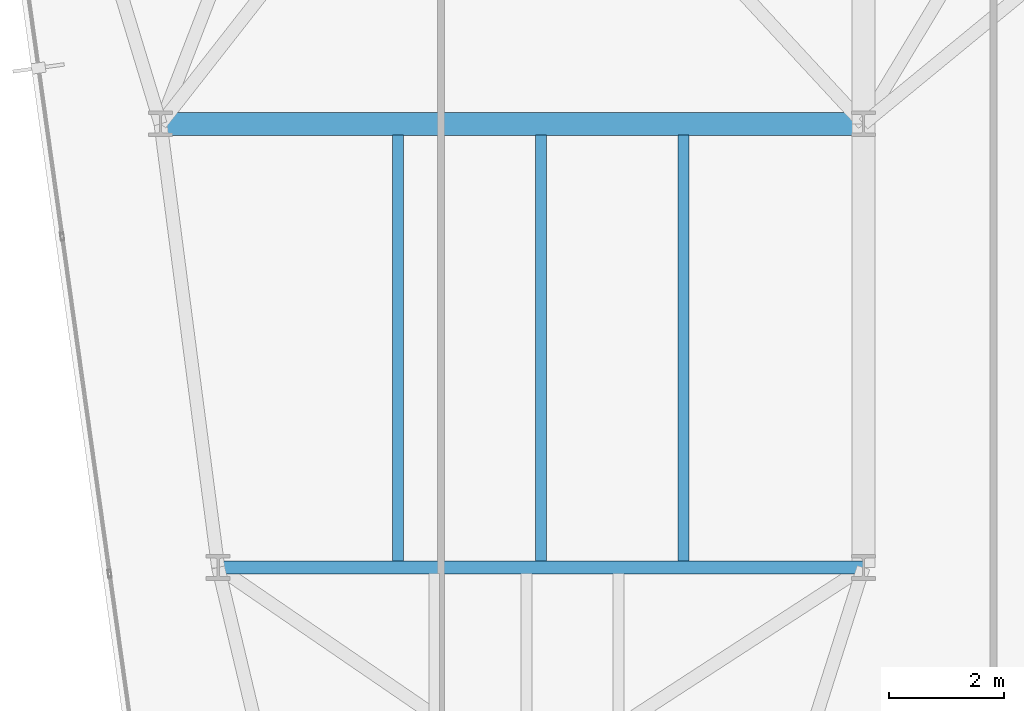
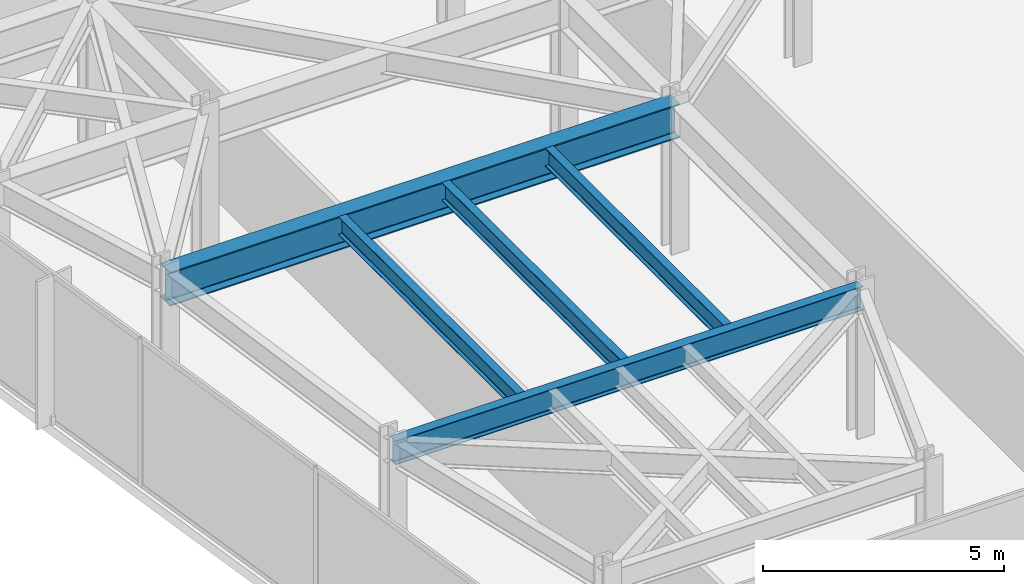
# One storey, part 6 of 26: 5 beams.
"""IFC4 building model written with IfcOpenShell, lengths in metres."""

import ifcopenshell
import ifcopenshell.guid

model = None  # the IFC model being written
_history = None  # IfcOwnerHistory: only IFC2X3 demands one
_inside = {}  # id of a spatial element -> (the spatial element, [elements in it])
_under = {}  # id of a project, library or spatial element -> (it, [spatial elements below it])
_declared = {}  # id of a project -> (the project, [libraries it declares])
_typed = {}  # id of a type object -> (the type object, [elements of that type])
_made_of = {}  # id of a material, layer set ... -> (it, [elements and type objects made of it])


def new_model(schema):
    """Start an empty IFC model of exactly this schema.

    Asked for "IFC4X3", IfcOpenShell would pick the latest addendum, in which some entities
    have other attributes; the version numbers below select the first issue.
    IFC2X3 requires an IfcOwnerHistory on every rooted entity: one is made here for all.
    """
    global model, _history
    if schema == "IFC4X3":
        model = ifcopenshell.file(schema_version=(4, 3, 0, 0))
    else:
        model = ifcopenshell.file(schema=schema)
    _inside.clear()
    _under.clear()
    _declared.clear()
    _typed.clear()
    _made_of.clear()
    _history = None
    if model.schema == "IFC2X3":
        org = make("IfcOrganization", Name="unknown")
        user = make(
            "IfcPersonAndOrganization",
            ThePerson=make("IfcPerson", FamilyName="unknown"),
            TheOrganization=org,
        )
        app = make(
            "IfcApplication",
            ApplicationDeveloper=org,
            Version="unknown",
            ApplicationFullName="unknown",
            ApplicationIdentifier="unknown",
        )
        _history = make(
            "IfcOwnerHistory",
            OwningUser=user,
            OwningApplication=app,
            ChangeAction="ADDED",
            CreationDate=0,
        )
    return model


def make(cls, **values):
    """One entity of the class cls with the attributes given. An attribute that is None is left unset."""
    return model.create_entity(
        cls, **{name: value for name, value in values.items() if value is not None}
    )


def rooted(cls, **values):
    """An entity with a GlobalId (a new one), such as an element, a storey or a relation."""
    return make(cls, GlobalId=ifcopenshell.guid.new(), OwnerHistory=_history, **values)


def si_unit(unit_type, name, prefix=None):
    """IfcSIUnit, for example si_unit("LENGTHUNIT", "METRE", prefix="MILLI")."""
    return make("IfcSIUnit", UnitType=unit_type, Prefix=prefix, Name=name)


def assignment(units):
    """IfcUnitAssignment: the units of a project."""
    return None if units is None else make("IfcUnitAssignment", Units=units)


def point(xyz):
    """IfcCartesianPoint."""
    return None if xyz is None else make("IfcCartesianPoint", Coordinates=xyz)


def direction(xyz):
    """IfcDirection."""
    return None if xyz is None else make("IfcDirection", DirectionRatios=xyz)


def frame(location, z_axis=None, x_axis=None):
    """IfcAxis2Placement3D, a coordinate frame: its origin and axes. An axis left out is left unset."""
    return make(
        "IfcAxis2Placement3D",
        Location=point(location),
        Axis=direction(z_axis),
        RefDirection=direction(x_axis),
    )


def frame_2d(location, x_axis=None):
    """IfcAxis2Placement2D, a coordinate frame in the plane: its origin and x axis."""
    return make(
        "IfcAxis2Placement2D", Location=point(location), RefDirection=direction(x_axis)
    )


def origin():
    """The frame at (0, 0, 0) with its axes left unset."""
    return frame((0.0, 0.0, 0.0))


def origin_2d():
    """The frame at (0, 0) in the plane with its x axis left unset."""
    return frame_2d((0.0, 0.0))


def place(relative_to, where):
    """IfcLocalPlacement: puts the frame where relative to a parent placement (None: the world)."""
    return make(
        "IfcLocalPlacement", PlacementRelTo=relative_to, RelativePlacement=where
    )


def context(
    kind, dimensions, precision=None, world=None, true_north=None, identifier=None
):
    """IfcGeometricRepresentationContext, for example the 3D "Model" context."""
    return make(
        "IfcGeometricRepresentationContext",
        ContextIdentifier=identifier,
        ContextType=kind,
        CoordinateSpaceDimension=dimensions,
        Precision=precision,
        WorldCoordinateSystem=world,
        TrueNorth=true_north,
    )


def subcontext(parent, identifier, kind, view, scale=None):
    """IfcGeometricRepresentationSubContext, for example "Body" below "Model"."""
    return make(
        "IfcGeometricRepresentationSubContext",
        ContextIdentifier=identifier,
        ContextType=kind,
        ParentContext=parent,
        TargetScale=scale,
        TargetView=view,
    )


def project(units=None, contexts=None):
    """IfcProject with its units and contexts."""
    return rooted(
        "IfcProject",
        Name="project",
        RepresentationContexts=contexts,
        UnitsInContext=assignment(units),
    )


def spatial(cls, under=None, at=None, **own):
    """A site, building, storey or space (cls), placed at a placement, below another one or the project."""
    s = rooted(cls, ObjectPlacement=at, **own)
    if under is not None:
        _under.setdefault(under.id(), (under, []))[1].append(s)
    return s


def profile(cls, at=None, kind="AREA", **sizes):
    """A parametric profile (cls). Its sizes go by their IFC names, for example OverallWidth=200.0."""
    return make(cls, ProfileType=kind, Position=at, **sizes)


def i_section(**sizes):
    """IfcIShapeProfileDef."""
    return profile("IfcIShapeProfileDef", **sizes)


def extrude(swept, where, along, depth):
    """IfcExtrudedAreaSolid: the profile swept, set in the frame where, extruded along a direction by depth."""
    return make(
        "IfcExtrudedAreaSolid",
        SweptArea=swept,
        Position=where,
        ExtrudedDirection=direction(along),
        Depth=depth,
    )


def shape(context_of_items, identifier, shape_type, items):
    """IfcShapeRepresentation: the items that make up one representation, for example the "Body"."""
    return make(
        "IfcShapeRepresentation",
        ContextOfItems=context_of_items,
        RepresentationIdentifier=identifier,
        RepresentationType=shape_type,
        Items=items,
    )


def material(Name=None, Category=None):
    """IfcMaterial."""
    return make("IfcMaterial", Name=Name, Category=Category)


def material_profile(
    of_material, cross_section, Name=None, Category=None, Priority=None
):
    """IfcMaterialProfile: a cross section and its material."""
    return make(
        "IfcMaterialProfile",
        Name=Name,
        Material=of_material,
        Profile=cross_section,
        Priority=Priority,
        Category=Category,
    )


def profile_set(profiles, Name=None, composite=None):
    """IfcMaterialProfileSet."""
    return make(
        "IfcMaterialProfileSet",
        Name=Name,
        MaterialProfiles=profiles,
        CompositeProfile=composite,
    )


def made_of(thing, what):
    """Note that an element or type object is made of a material, layer set ...; save() writes the relation."""
    if what is not None:
        _made_of.setdefault(what.id(), (what, []))[1].append(thing)
    return thing


def type_object(cls, material=None, **own):
    """A type object (cls), such as IfcWallType, which elements share."""
    return made_of(rooted(cls, **own), material)


def element(
    cls,
    number,
    at=None,
    inside=None,
    cuts=None,
    type_object=None,
    material=None,
    context=None,
    identifier="Body",
    shape_type=None,
    held_by="IfcProductDefinitionShape",
    body=None,
    shapes=None,
    **own,
):
    """One element of the class cls, such as IfcWall. Its Tag is "e" and its number.

    at: its placement. inside: the storey or other place that contains it. cuts: it is an
    opening in that element (IfcRelVoidsElement). A single representation is given by context,
    identifier, shape_type and body (its items); several are given by shapes. held_by: the class
    of the entity that holds the representations. save() writes the other relations.
    """
    e = rooted(cls, Tag="e%d" % number, ObjectPlacement=at, **own)
    if body is not None:
        shapes = [shape(context, identifier, shape_type, body)]
    if shapes is not None:
        e.Representation = make(held_by, Representations=shapes)
    if inside is not None:
        _inside.setdefault(inside.id(), (inside, []))[1].append(e)
    if cuts is not None:
        rooted(
            "IfcRelVoidsElement", RelatingBuildingElement=cuts, RelatedOpeningElement=e
        )
    if type_object is not None:
        _typed.setdefault(type_object.id(), (type_object, []))[1].append(e)
    return made_of(e, material)


def aggregate(whole, parts):
    """IfcRelAggregates: a whole, such as a stair, and the parts it consists of."""
    return rooted("IfcRelAggregates", RelatingObject=whole, RelatedObjects=parts)


def save(model, path):
    """Write the relations noted so far, then the file.

    IfcRelAggregates (storeys below a building ...), IfcRelContainedInSpatialStructure (elements
    in a storey), IfcRelDefinesByType, IfcRelAssociatesMaterial and IfcRelDeclares: one each for
    every whole, place, type object, material and project.
    """
    for whole, parts in _under.values():
        aggregate(whole, parts)
    for where, things in _inside.values():
        rooted(
            "IfcRelContainedInSpatialStructure",
            RelatedElements=things,
            RelatingStructure=where,
        )
    for kind, things in _typed.values():
        rooted("IfcRelDefinesByType", RelatedObjects=things, RelatingType=kind)
    for what, things in _made_of.values():
        rooted("IfcRelAssociatesMaterial", RelatedObjects=things, RelatingMaterial=what)
    for by, libraries in _declared.values():
        rooted("IfcRelDeclares", RelatingContext=by, RelatedDefinitions=libraries)
    model.write(path)


model = new_model("IFC4")

# Units and contexts
model_context = context("Model", 3, precision=1e-05, world=origin(), true_north=direction((0.0, 1.0)))
body_context = subcontext(model_context, "Body", "Model", "MODEL_VIEW")
ifc_project = project(units=[si_unit("LENGTHUNIT", "METRE"), si_unit("AREAUNIT", "SQUARE_METRE"), si_unit("VOLUMEUNIT", "CUBIC_METRE"), si_unit("PLANEANGLEUNIT", "RADIAN"), si_unit("MASSUNIT", "GRAM", prefix="KILO")], contexts=[model_context])

# Site, building, storey
site_placement = place(None, origin())
site = spatial("IfcSite", under=ifc_project, at=site_placement, CompositionType="ELEMENT")
building_placement = place(site_placement, origin())
building = spatial("IfcBuilding", under=site, at=building_placement, Name="Kravanh Interchange Tower", CompositionType="ELEMENT")
storey_placement = place(building_placement, frame((0.0, 0.0, 132.0)))
storey = spatial("IfcBuildingStorey", under=building, at=storey_placement, Name="L31", CompositionType="ELEMENT", Elevation=132.0)

# Beams
ifc_material_1 = material(Name="Structural Steel S355", Category="steel")
ifc_material_profile_1 = material_profile(ifc_material_1, i_section(OverallWidth=0.39990234375, OverallDepth=0.85595703125, WebThickness=0.018310546875, FlangeThickness=0.029296875, FilletRadius=0.02490234375, at=origin_2d()), Name="W33X201")
ifc_profile_set_1 = profile_set([ifc_material_profile_1], Name="Structural Steel S355")
beam_type_1 = type_object("IfcBeamType", Name="Floor Beam W33X201 Structural Steel S355", PredefinedType="BEAM", material=ifc_profile_set_1)
beam_1_placement = place(storey_placement, frame((15.0, 22.199951171875, 3.322021484375), z_axis=(1.0, 0.0, 0.0), x_axis=(0.0, 1.0, 0.0)))
element("IfcBeam", 1, at=beam_1_placement, inside=storey, type_object=beam_type_1, Name="L31 Primary Floor Girder 108", PredefinedType="BEAM", context=body_context, shape_type="SweptSolid", body=[
    extrude(i_section(OverallWidth=0.39990234375, OverallDepth=0.85595703125, WebThickness=0.018310546875, FlangeThickness=0.029296875, FilletRadius=0.02490234375, at=origin_2d()), origin(), (0.0, 0.0, 1.0), 12.199951171875),
])
ifc_material_2 = material(Name="Structural Steel S355", Category="steel")
ifc_material_profile_2 = material_profile(ifc_material_2, i_section(OverallWidth=0.18994140625, OverallDepth=0.45703125, WebThickness=0.009033203125, FlangeThickness=0.014404296875, FilletRadius=0.01806640625, at=origin_2d()), Name="W18X50")
ifc_profile_set_2 = profile_set([ifc_material_profile_2], Name="Structural Steel S355")
beam_type_2 = type_object("IfcBeamType", Name="Floor Joist W18X50 Structural Steel S355", PredefinedType="JOIST", material=ifc_profile_set_2)
for number, where, z_axis, x_axis, name in (
    (2, (19.125, 14.60888671875, 3.521484375), (0.0, 1.0, 0.0), (-1.0, 0.0, 0.0), "L31 Secondary Floor Joist 7"),
    (3, (21.60009765625, 14.60888671875, 3.521484375), (0.0, 1.0, 0.0), (-1.0, 0.0, 0.0), "L31 Secondary Floor Joist 8"),
    (4, (24.074951171875, 14.60888671875, 3.521484375), (0.0, 1.0, 0.0), (-1.0, 0.0, 0.0), "L31 Secondary Floor Joist 9"),
):
    element("IfcBeam", number, at=place(storey_placement, frame(where, z_axis=z_axis, x_axis=x_axis)), inside=storey, type_object=beam_type_2, Name=name, PredefinedType="JOIST", context=body_context, shape_type="SweptSolid", body=[
        extrude(i_section(OverallWidth=0.18994140625, OverallDepth=0.45703125, WebThickness=0.009033203125, FlangeThickness=0.014404296875, FilletRadius=0.01806640625, at=origin_2d()), origin(), (0.0, 0.0, 1.0), 7.39599609375),
    ])
ifc_material_3 = material(Name="Structural Steel S355", Category="steel")
ifc_material_profile_3 = material_profile(ifc_material_3, i_section(OverallWidth=0.22802734375, OverallDepth=0.60791015625, WebThickness=0.01123046875, FlangeThickness=0.017333984375, FilletRadius=0.02197265625, at=origin_2d()), Name="W24X76")
ifc_profile_set_3 = profile_set([ifc_material_profile_3], Name="Structural Steel S355")
beam_type_3 = type_object("IfcBeamType", Name="Floor Spandrel W24X76 Structural Steel S355", PredefinedType="SPANDREL", material=ifc_profile_set_3)
beam_2_placement = place(storey_placement, frame((16.0, 14.5, 3.446044921875), z_axis=(1.0, 0.0, 0.0), x_axis=(0.0, 1.0, 0.0)))
element("IfcBeam", 5, at=beam_2_placement, inside=storey, type_object=beam_type_3, Name="L31 Perimeter Spandrel 101", PredefinedType="SPANDREL", context=body_context, shape_type="SweptSolid", body=[
    extrude(i_section(OverallWidth=0.22802734375, OverallDepth=0.60791015625, WebThickness=0.01123046875, FlangeThickness=0.017333984375, FilletRadius=0.02197265625, at=origin_2d()), origin(), (0.0, 0.0, 1.0), 11.199951171875),
])

save(model, "model.ifc")
